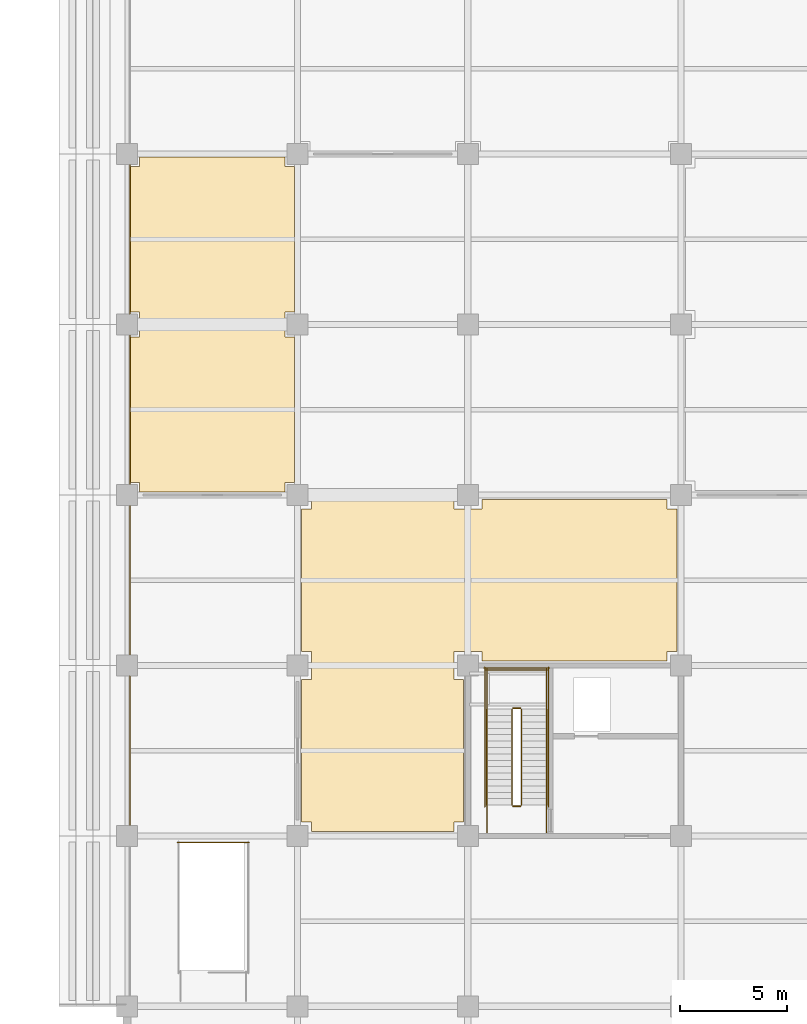
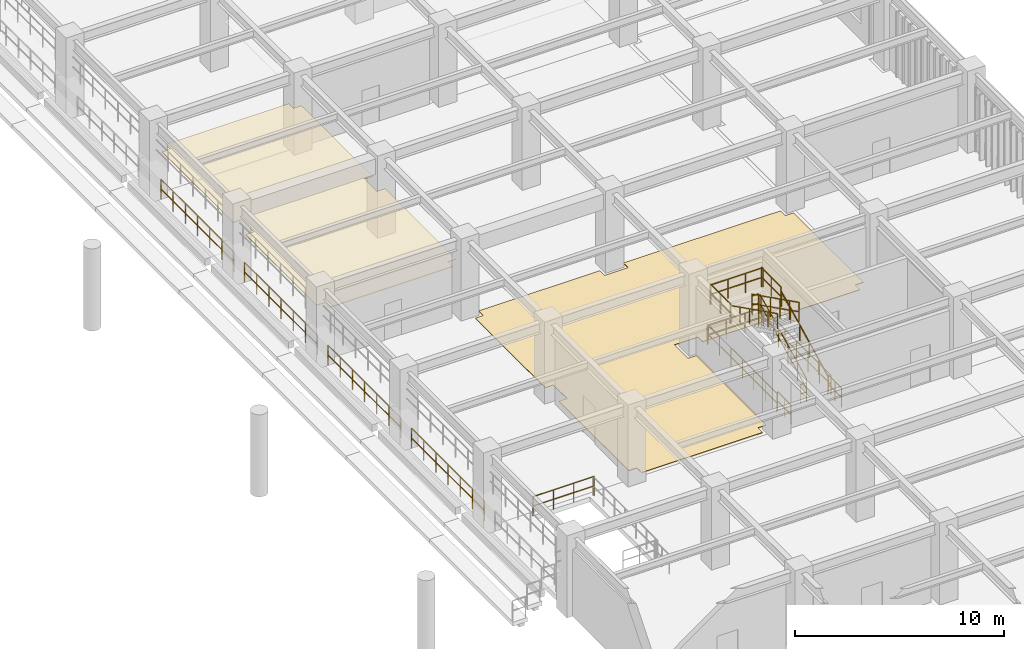
# One storey, part 111 of 117: 19 railings, 2 coverings.
"""IFC4 building model written with IfcOpenShell, lengths in metres."""

from ifc_helpers import new_model, si_unit, direction, frame, origin, origin_2d, place, context, subcontext, project, spatial, polyline, circle, outline, extrude, material, layer, layer_set, type_object, element, save


model = new_model("IFC4")

# Units and contexts
model_context = context("Model", 3, precision=1e-05, world=origin(), true_north=direction((0.0, 1.0)))
body_context = subcontext(model_context, "Body", "Model", "MODEL_VIEW")
ifc_project = project(units=[si_unit("LENGTHUNIT", "METRE"), si_unit("AREAUNIT", "SQUARE_METRE"), si_unit("VOLUMEUNIT", "CUBIC_METRE"), si_unit("PLANEANGLEUNIT", "RADIAN"), si_unit("MASSUNIT", "GRAM", prefix="KILO")], contexts=[model_context])

# Site, building, storey
site_placement = place(None, origin())
site = spatial("IfcSite", under=ifc_project, at=site_placement, CompositionType="ELEMENT")
building_placement = place(site_placement, origin())
building = spatial("IfcBuilding", under=site, at=building_placement, Name="Haebicheon Civic Stadium", CompositionType="ELEMENT")
storey_placement = place(building_placement, frame((0.0, 0.0, 4.800048828125)))
storey = spatial("IfcBuildingStorey", under=building, at=storey_placement, Name="L02", CompositionType="ELEMENT", Elevation=4.800048828125)

# Coverings
ifc_material_1 = material(Name="Perforated mineral-fibre acoustic board", Category="gypsum")
ifc_layer_1 = layer(ifc_material_1, 0.0400390625, Name="Perforated mineral-fibre acoustic board")
ifc_layer_set_1 = layer_set([ifc_layer_1], Name="Perforated mineral-fibre acoustic board")
covering_type_1 = type_object("IfcCoveringType", Name="COV-CLG-AC", PredefinedType="CEILING", material=ifc_layer_set_1)
covering_1_placement = place(storey_placement, frame((0.0, 0.0, 2.81005859375)))
element("IfcCovering", 1, at=covering_1_placement, inside=storey, type_object=covering_type_1, material=ifc_layer_set_1, Name="L02 Sports Rehabilitation Gym acoustic ceiling", PredefinedType="CEILING", context=body_context, shape_type="SweptSolid", body=[
    extrude(outline(polyline([(200.594970703125, 80.14501953125), (200.594970703125, 80.594970703125), (200.14501953125, 80.594970703125), (200.14501953125, 87.405029296875), (200.594970703125, 87.405029296875), (200.594970703125, 88.594970703125), (200.14501953125, 88.594970703125), (200.14501953125, 95.405029296875), (200.594970703125, 95.405029296875), (200.594970703125, 95.85498046875), (207.405029296875, 95.85498046875), (207.405029296875, 95.405029296875), (207.85498046875, 95.405029296875), (207.85498046875, 88.594970703125), (207.405029296875, 88.594970703125), (207.405029296875, 87.405029296875), (207.85498046875, 87.405029296875), (207.85498046875, 80.594970703125), (207.405029296875, 80.594970703125), (207.405029296875, 80.14501953125), (200.594970703125, 80.14501953125)])), origin(), (0.0, 0.0, 1.0), 0.039794921875),
])
ifc_material_2 = material(Name="Quartz epoxy resin mortar", Category="concrete")
ifc_layer_2 = layer(ifc_material_2, 0.030029296875, Name="Quartz epoxy resin mortar")
ifc_layer_set_2 = layer_set([ifc_layer_2], Name="Quartz epoxy resin mortar")
covering_type_2 = type_object("IfcCoveringType", Name="COV-FLR-EPX", PredefinedType="FLOORING", material=ifc_layer_set_2)
covering_2_placement = place(storey_placement, origin())
element("IfcCovering", 2, at=covering_2_placement, inside=storey, type_object=covering_type_2, material=ifc_layer_set_2, Name="L02 Aerobic Conditioning Studio non-slip floor finish", PredefinedType="FLOORING", context=body_context, shape_type="SweptSolid", body=[
    extrude(outline(polyline([(208.64990234375, 64.199951171875), (208.64990234375, 64.64990234375), (208.199951171875, 64.64990234375), (208.199951171875, 71.35009765625), (208.64990234375, 71.35009765625), (208.64990234375, 72.64990234375), (208.199951171875, 72.64990234375), (208.199951171875, 79.35009765625), (208.64990234375, 79.35009765625), (208.64990234375, 79.800048828125), (215.35009765625, 79.800048828125), (215.35009765625, 79.35009765625), (216.64990234375, 79.35009765625), (216.64990234375, 79.800048828125), (225.35009765625, 79.800048828125), (225.35009765625, 79.35009765625), (225.800048828125, 79.35009765625), (225.800048828125, 72.64990234375), (225.35009765625, 72.64990234375), (225.35009765625, 72.199951171875), (216.64990234375, 72.199951171875), (216.64990234375, 72.64990234375), (215.35009765625, 72.64990234375), (215.35009765625, 71.35009765625), (215.800048828125, 71.35009765625), (215.800048828125, 64.64990234375), (215.35009765625, 64.64990234375), (215.35009765625, 64.199951171875), (208.64990234375, 64.199951171875)])), origin(), (0.0, 0.0, 1.0), 0.030029296875),
])

# Railings
ifc_material_3 = material(Name="Stainless steel 316 and laminated glass", Category="steel")
railing_type_1 = type_object("IfcRailingType", Name="RL-BAL-1200", PredefinedType="BALUSTRADE", material=ifc_material_3)
for number, where, name in (
    (3, (200.139892578125, 64.5, 0.0), "L02 concourse bowl-edge balustrade 034"),
    (4, (200.139892578125, 72.5, 0.0), "L02 concourse bowl-edge balustrade 035"),
    (5, (200.139892578125, 80.5, 0.0), "L02 concourse bowl-edge balustrade 036"),
    (6, (200.139892578125, 88.5, 0.0), "L02 concourse bowl-edge balustrade 037"),
):
    element("IfcRailing", number, at=place(storey_placement, frame(where)), inside=storey, type_object=railing_type_1, material=ifc_material_3, Name=name, PredefinedType="BALUSTRADE", context=body_context, shape_type="SweptSolid", body=[
        extrude(circle(Radius=0.02392578125, at=origin_2d()), frame((0.0, 0.0, 1.17578125), z_axis=(0.0, 1.0, 0.0), x_axis=(-1.0, 0.0, 0.0)), (0.0, 0.0, 1.0), 7.0),
        extrude(circle(Radius=0.02392578125, at=origin_2d()), frame((0.0, 0.0, 0.60009765625), z_axis=(0.0, 1.0, 0.0), x_axis=(-1.0, 0.0, 0.0)), (0.0, 0.0, 1.0), 7.0),
        extrude(circle(Radius=0.02099609375, at=origin_2d()), origin(), (0.0, 0.0, 1.0), 1.15185546875),
        extrude(circle(Radius=0.02099609375, at=origin_2d()), frame((0.0, 1.166748046875, 0.0)), (0.0, 0.0, 1.0), 1.15185546875),
        extrude(circle(Radius=0.02099609375, at=origin_2d()), frame((0.0, 2.333251953125, 0.0)), (0.0, 0.0, 1.0), 1.15185546875),
        extrude(circle(Radius=0.02099609375, at=origin_2d()), frame((0.0, 3.5, 0.0)), (0.0, 0.0, 1.0), 1.15185546875),
        extrude(circle(Radius=0.02099609375, at=origin_2d()), frame((0.0, 4.666748046875, 0.0)), (0.0, 0.0, 1.0), 1.15185546875),
        extrude(circle(Radius=0.02099609375, at=origin_2d()), frame((0.0, 5.833251953125, 0.0)), (0.0, 0.0, 1.0), 1.15185546875),
        extrude(circle(Radius=0.02099609375, at=origin_2d()), frame((0.0, 7.0, 0.0)), (0.0, 0.0, 1.0), 1.15185546875),
    ])
ifc_material_4 = material(Name="Galvanised painted steel SM355", Category="steel")
railing_type_2 = type_object("IfcRailingType", Name="RL-GRD-1150", PredefinedType="GUARDRAIL", material=ifc_material_4)
railing_1_placement = place(storey_placement, frame((218.510009765625, 65.449951171875, 0.14990234375)))
element("IfcRailing", 7, at=railing_1_placement, inside=storey, type_object=railing_type_2, material=ifc_material_4, Name="L02 ST-12 stair guard 1", PredefinedType="GUARDRAIL", context=body_context, shape_type="SweptSolid", body=[
    extrude(circle(Radius=0.02392578125, at=origin_2d()), frame((0.0, 0.0, 1.1259765625), z_axis=(0.0, 0.894427191, 0.4472135955), x_axis=(-1.0, 0.0, 0.0)), (0.0, 0.0, 1.0), 5.03125),
    extrude(circle(Radius=0.02392578125, at=origin_2d()), frame((0.0, 0.0, 0.574951171875), z_axis=(0.0, 0.894427191, 0.4472135955), x_axis=(-1.0, 0.0, 0.0)), (0.0, 0.0, 1.0), 5.03125),
    extrude(circle(Radius=0.02099609375, at=origin_2d()), origin(), (0.0, 0.0, 1.0), 1.101806640625),
    extrude(circle(Radius=0.02099609375, at=origin_2d()), frame((0.0, 0.89990234375, 0.449951171875)), (0.0, 0.0, 1.0), 1.101806640625),
    extrude(circle(Radius=0.02099609375, at=origin_2d()), frame((0.0, 1.800048828125, 0.89990234375)), (0.0, 0.0, 1.0), 1.101806640625),
    extrude(circle(Radius=0.02099609375, at=origin_2d()), frame((0.0, 2.699951171875, 1.35009765625)), (0.0, 0.0, 1.0), 1.101806640625),
    extrude(circle(Radius=0.02099609375, at=origin_2d()), frame((0.0, 3.60009765625, 1.800048828125)), (0.0, 0.0, 1.0), 1.101806640625),
    extrude(circle(Radius=0.02099609375, at=origin_2d()), frame((0.0, 4.5, 2.25)), (0.0, 0.0, 1.0), 1.101806640625),
])
railing_2_placement = place(storey_placement, frame((218.4599609375, 70.0, 2.39990234375)))
element("IfcRailing", 8, at=railing_2_placement, inside=storey, type_object=railing_type_2, material=ifc_material_4, Name="L02 ST-12 stair guard 2", PredefinedType="GUARDRAIL", context=body_context, shape_type="SweptSolid", body=[
    extrude(circle(Radius=0.02392578125, at=origin_2d()), frame((0.0, 0.0, 1.1259765625), z_axis=(-1.0, 0.0, 0.0), x_axis=(0.0, -1.0, 0.0)), (0.0, 0.0, 1.0), 0.33984375),
    extrude(circle(Radius=0.02392578125, at=origin_2d()), frame((0.0, 0.0, 0.574951171875), z_axis=(-1.0, 0.0, 0.0), x_axis=(0.0, -1.0, 0.0)), (0.0, 0.0, 1.0), 0.33984375),
    extrude(circle(Radius=0.02099609375, at=origin_2d()), origin(), (0.0, 0.0, 1.0), 1.101806640625),
    extrude(circle(Radius=0.02099609375, at=origin_2d()), frame((-0.33984375, 0.0, 0.0)), (0.0, 0.0, 1.0), 1.101806640625),
])
for number, where, name in (
    (9, (219.68994140625, 69.949951171875, 2.39990234375), "L02 ST-12 stair guard 3"),
    (10, (216.889892578125, 69.949951171875, 2.39990234375), "L02 ST-12 stair guard 4"),
):
    element("IfcRailing", number, at=place(storey_placement, frame(where)), inside=storey, type_object=railing_type_2, material=ifc_material_4, Name=name, PredefinedType="GUARDRAIL", context=body_context, shape_type="SweptSolid", body=[
        extrude(circle(Radius=0.02392578125, at=origin_2d()), frame((0.0, 0.0, 1.1259765625), z_axis=(0.0, 1.0, 0.0), x_axis=(-1.0, 0.0, 0.0)), (0.0, 0.0, 1.0), 1.89013671875),
        extrude(circle(Radius=0.02392578125, at=origin_2d()), frame((0.0, 0.0, 0.574951171875), z_axis=(0.0, 1.0, 0.0), x_axis=(-1.0, 0.0, 0.0)), (0.0, 0.0, 1.0), 1.89013671875),
        extrude(circle(Radius=0.02099609375, at=origin_2d()), origin(), (0.0, 0.0, 1.0), 1.101806640625),
        extrude(circle(Radius=0.02099609375, at=origin_2d()), frame((0.0, 0.945068359375, 0.0)), (0.0, 0.0, 1.0), 1.101806640625),
        extrude(circle(Radius=0.02099609375, at=origin_2d()), frame((0.0, 1.89013671875, 0.0)), (0.0, 0.0, 1.0), 1.101806640625),
    ])
railing_3_placement = place(storey_placement, frame((219.739990234375, 71.7900390625, 2.39990234375)))
element("IfcRailing", 11, at=railing_3_placement, inside=storey, type_object=railing_type_2, material=ifc_material_4, Name="L02 ST-12 stair guard 5", PredefinedType="GUARDRAIL", context=body_context, shape_type="SweptSolid", body=[
    extrude(circle(Radius=0.02392578125, at=origin_2d()), frame((0.0, 0.0, 1.1259765625), z_axis=(-1.0, 0.0, 0.0), x_axis=(0.0, -1.0, 0.0)), (0.0, 0.0, 1.0), 2.89990234375),
    extrude(circle(Radius=0.02392578125, at=origin_2d()), frame((0.0, 0.0, 0.574951171875), z_axis=(-1.0, 0.0, 0.0), x_axis=(0.0, -1.0, 0.0)), (0.0, 0.0, 1.0), 2.89990234375),
    extrude(circle(Radius=0.02099609375, at=origin_2d()), origin(), (0.0, 0.0, 1.0), 1.101806640625),
    extrude(circle(Radius=0.02099609375, at=origin_2d()), frame((-0.966552734375, 0.0, 0.0)), (0.0, 0.0, 1.0), 1.101806640625),
    extrude(circle(Radius=0.02099609375, at=origin_2d()), frame((-1.933349609375, 0.0, 0.0)), (0.0, 0.0, 1.0), 1.101806640625),
    extrude(circle(Radius=0.02099609375, at=origin_2d()), frame((-2.89990234375, 0.0, 0.0)), (0.0, 0.0, 1.0), 1.101806640625),
])
railing_4_placement = place(storey_placement, frame((218.070068359375, 69.949951171875, 2.550048828125)))
element("IfcRailing", 12, at=railing_4_placement, inside=storey, type_object=railing_type_2, material=ifc_material_4, Name="L02 ST-12 stair guard 6", PredefinedType="GUARDRAIL", context=body_context, shape_type="SweptSolid", body=[
    extrude(circle(Radius=0.02392578125, at=origin_2d()), frame((0.0, 0.0, 1.1259765625), z_axis=(0.0, -0.894427191, 0.4472135955), x_axis=(1.0, 0.0, 0.0)), (0.0, 0.0, 1.0), 5.03125),
    extrude(circle(Radius=0.02392578125, at=origin_2d()), frame((0.0, 0.0, 0.574951171875), z_axis=(0.0, -0.894427191, 0.4472135955), x_axis=(1.0, 0.0, 0.0)), (0.0, 0.0, 1.0), 5.03125),
    extrude(circle(Radius=0.02099609375, at=origin_2d()), origin(), (0.0, 0.0, 1.0), 1.101806640625),
    extrude(circle(Radius=0.02099609375, at=origin_2d()), frame((0.0, -0.89990234375, 0.449951171875)), (0.0, 0.0, 1.0), 1.101806640625),
    extrude(circle(Radius=0.02099609375, at=origin_2d()), frame((0.0, -1.800048828125, 0.89990234375)), (0.0, 0.0, 1.0), 1.101806640625),
    extrude(circle(Radius=0.02099609375, at=origin_2d()), frame((0.0, -2.699951171875, 1.35009765625)), (0.0, 0.0, 1.0), 1.101806640625),
    extrude(circle(Radius=0.02099609375, at=origin_2d()), frame((0.0, -3.60009765625, 1.800048828125)), (0.0, 0.0, 1.0), 1.101806640625),
    extrude(circle(Radius=0.02099609375, at=origin_2d()), frame((0.0, -4.5, 2.25)), (0.0, 0.0, 1.0), 1.101806640625),
])
railing_5_placement = place(storey_placement, frame((218.4599609375, 65.39990234375, 0.0)))
element("IfcRailing", 13, at=railing_5_placement, inside=storey, type_object=railing_type_2, material=ifc_material_4, Name="L02 ST-12 stair guard 7", PredefinedType="GUARDRAIL", context=body_context, shape_type="SweptSolid", body=[
    extrude(circle(Radius=0.02392578125, at=origin_2d()), frame((0.0, 0.0, 1.1259765625), z_axis=(-1.0, 0.0, 0.0), x_axis=(0.0, -1.0, 0.0)), (0.0, 0.0, 1.0), 0.33984375),
    extrude(circle(Radius=0.02392578125, at=origin_2d()), frame((0.0, 0.0, 0.574951171875), z_axis=(-1.0, 0.0, 0.0), x_axis=(0.0, -1.0, 0.0)), (0.0, 0.0, 1.0), 0.33984375),
    extrude(circle(Radius=0.02099609375, at=origin_2d()), origin(), (0.0, 0.0, 1.0), 1.101806640625),
    extrude(circle(Radius=0.02099609375, at=origin_2d()), frame((-0.33984375, 0.0, 0.0)), (0.0, 0.0, 1.0), 1.101806640625),
])
for number, where, name in (
    (14, (219.68994140625, 64.159912109375, 0.0), "L02 ST-12 stair guard 8"),
    (15, (216.889892578125, 64.159912109375, 0.0), "L02 ST-12 stair guard 9"),
):
    element("IfcRailing", number, at=place(storey_placement, frame(where)), inside=storey, type_object=railing_type_2, material=ifc_material_4, Name=name, PredefinedType="GUARDRAIL", context=body_context, shape_type="SweptSolid", body=[
        extrude(circle(Radius=0.02392578125, at=origin_2d()), frame((0.0, 0.0, 1.1259765625), z_axis=(0.0, 1.0, 0.0), x_axis=(-1.0, 0.0, 0.0)), (0.0, 0.0, 1.0), 1.2900390625),
        extrude(circle(Radius=0.02392578125, at=origin_2d()), frame((0.0, 0.0, 0.574951171875), z_axis=(0.0, 1.0, 0.0), x_axis=(-1.0, 0.0, 0.0)), (0.0, 0.0, 1.0), 1.2900390625),
        extrude(circle(Radius=0.02099609375, at=origin_2d()), origin(), (0.0, 0.0, 1.0), 1.101806640625),
        extrude(circle(Radius=0.02099609375, at=origin_2d()), frame((0.0, 0.64501953125, 0.0)), (0.0, 0.0, 1.0), 1.101806640625),
        extrude(circle(Radius=0.02099609375, at=origin_2d()), frame((0.0, 1.2900390625, 0.0)), (0.0, 0.0, 1.0), 1.101806640625),
    ])
for number, where, name in (
    (16, (219.7900390625, 65.35009765625, 0.0), "L02 ST-12 stair guard 10"),
    (17, (216.7900390625, 65.35009765625, 0.0), "L02 ST-12 stair guard 11"),
):
    element("IfcRailing", number, at=place(storey_placement, frame(where)), inside=storey, type_object=railing_type_2, material=ifc_material_4, Name=name, PredefinedType="GUARDRAIL", context=body_context, shape_type="SweptSolid", body=[
        extrude(circle(Radius=0.02392578125, at=origin_2d()), frame((0.0, 0.0, 1.1259765625), z_axis=(0.0, 1.0, 0.0), x_axis=(-1.0, 0.0, 0.0)), (0.0, 0.0, 1.0), 6.58984375),
        extrude(circle(Radius=0.02392578125, at=origin_2d()), frame((0.0, 0.0, 0.574951171875), z_axis=(0.0, 1.0, 0.0), x_axis=(-1.0, 0.0, 0.0)), (0.0, 0.0, 1.0), 6.58984375),
        extrude(circle(Radius=0.02099609375, at=origin_2d()), origin(), (0.0, 0.0, 1.0), 1.101806640625),
        extrude(circle(Radius=0.02099609375, at=origin_2d()), frame((0.0, 1.098388671875, 0.0)), (0.0, 0.0, 1.0), 1.101806640625),
        extrude(circle(Radius=0.02099609375, at=origin_2d()), frame((0.0, 2.196533203125, 0.0)), (0.0, 0.0, 1.0), 1.101806640625),
        extrude(circle(Radius=0.02099609375, at=origin_2d()), frame((0.0, 3.294921875, 0.0)), (0.0, 0.0, 1.0), 1.101806640625),
        extrude(circle(Radius=0.02099609375, at=origin_2d()), frame((0.0, 4.393310546875, 0.0)), (0.0, 0.0, 1.0), 1.101806640625),
        extrude(circle(Radius=0.02099609375, at=origin_2d()), frame((0.0, 5.491455078125, 0.0)), (0.0, 0.0, 1.0), 1.101806640625),
        extrude(circle(Radius=0.02099609375, at=origin_2d()), frame((0.0, 6.58984375, 0.0)), (0.0, 0.0, 1.0), 1.101806640625),
    ])
railing_6_placement = place(storey_placement, frame((219.840087890625, 71.889892578125, 0.0)))
element("IfcRailing", 18, at=railing_6_placement, inside=storey, type_object=railing_type_2, material=ifc_material_4, Name="L02 ST-12 stair guard 12", PredefinedType="GUARDRAIL", context=body_context, shape_type="SweptSolid", body=[
    extrude(circle(Radius=0.02392578125, at=origin_2d()), frame((0.0, 0.0, 1.1259765625), z_axis=(-1.0, 0.0, 0.0), x_axis=(0.0, -1.0, 0.0)), (0.0, 0.0, 1.0), 3.10009765625),
    extrude(circle(Radius=0.02392578125, at=origin_2d()), frame((0.0, 0.0, 0.574951171875), z_axis=(-1.0, 0.0, 0.0), x_axis=(0.0, -1.0, 0.0)), (0.0, 0.0, 1.0), 3.10009765625),
    extrude(circle(Radius=0.02099609375, at=origin_2d()), origin(), (0.0, 0.0, 1.0), 1.101806640625),
    extrude(circle(Radius=0.02099609375, at=origin_2d()), frame((-1.033447265625, 0.0, 0.0)), (0.0, 0.0, 1.0), 1.101806640625),
    extrude(circle(Radius=0.02099609375, at=origin_2d()), frame((-2.066650390625, 0.0, 0.0)), (0.0, 0.0, 1.0), 1.101806640625),
    extrude(circle(Radius=0.02099609375, at=origin_2d()), frame((-3.10009765625, 0.0, 0.0)), (0.0, 0.0, 1.0), 1.101806640625),
])
railing_7_placement = place(storey_placement, frame((205.739990234375, 63.699951171875, 0.0)))
element("IfcRailing", 19, at=railing_7_placement, inside=storey, type_object=railing_type_2, material=ifc_material_4, Name="L02 VM-11 top well guard 4", PredefinedType="GUARDRAIL", context=body_context, shape_type="SweptSolid", body=[
    extrude(circle(Radius=0.02392578125, at=origin_2d()), frame((0.0, 0.0, 1.1259765625), z_axis=(-1.0, 0.0, 0.0), x_axis=(0.0, -1.0, 0.0)), (0.0, 0.0, 1.0), 3.3798828125),
    extrude(circle(Radius=0.02392578125, at=origin_2d()), frame((0.0, 0.0, 0.574951171875), z_axis=(-1.0, 0.0, 0.0), x_axis=(0.0, -1.0, 0.0)), (0.0, 0.0, 1.0), 3.3798828125),
    extrude(circle(Radius=0.02099609375, at=origin_2d()), origin(), (0.0, 0.0, 1.0), 1.101806640625),
    extrude(circle(Radius=0.02099609375, at=origin_2d()), frame((-1.126708984375, 0.0, 0.0)), (0.0, 0.0, 1.0), 1.101806640625),
    extrude(circle(Radius=0.02099609375, at=origin_2d()), frame((-2.253173828125, 0.0, 0.0)), (0.0, 0.0, 1.0), 1.101806640625),
    extrude(circle(Radius=0.02099609375, at=origin_2d()), frame((-3.3798828125, 0.0, 0.0)), (0.0, 0.0, 1.0), 1.101806640625),
])
ifc_material_5 = material(Name="Stainless steel 316", Category="steel")
railing_type_3 = type_object("IfcRailingType", Name="RL-HND-900", PredefinedType="HANDRAIL", material=ifc_material_5)
railing_8_placement = place(storey_placement, frame((219.68994140625, 65.449951171875, 0.14990234375)))
element("IfcRailing", 20, at=railing_8_placement, inside=storey, type_object=railing_type_3, material=ifc_material_5, Name="L02 ST-12 stair handrail 1", PredefinedType="HANDRAIL", context=body_context, shape_type="SweptSolid", body=[
    extrude(circle(Radius=0.02392578125, at=origin_2d()), frame((0.0, 0.0, 0.8759765625), z_axis=(0.0, 0.894427191, 0.4472135955), x_axis=(-1.0, 0.0, 0.0)), (0.0, 0.0, 1.0), 5.03125),
    extrude(circle(Radius=0.02099609375, at=origin_2d()), origin(), (0.0, 0.0, 1.0), 0.851806640625),
    extrude(circle(Radius=0.02099609375, at=origin_2d()), frame((0.0, 0.89990234375, 0.449951171875)), (0.0, 0.0, 1.0), 0.851806640625),
    extrude(circle(Radius=0.02099609375, at=origin_2d()), frame((0.0, 1.800048828125, 0.89990234375)), (0.0, 0.0, 1.0), 0.851806640625),
    extrude(circle(Radius=0.02099609375, at=origin_2d()), frame((0.0, 2.699951171875, 1.35009765625)), (0.0, 0.0, 1.0), 0.851806640625),
    extrude(circle(Radius=0.02099609375, at=origin_2d()), frame((0.0, 3.60009765625, 1.800048828125)), (0.0, 0.0, 1.0), 0.851806640625),
    extrude(circle(Radius=0.02099609375, at=origin_2d()), frame((0.0, 4.5, 2.25)), (0.0, 0.0, 1.0), 0.851806640625),
])
railing_9_placement = place(storey_placement, frame((216.889892578125, 69.949951171875, 2.550048828125)))
element("IfcRailing", 21, at=railing_9_placement, inside=storey, type_object=railing_type_3, material=ifc_material_5, Name="L02 ST-12 stair handrail 2", PredefinedType="HANDRAIL", context=body_context, shape_type="SweptSolid", body=[
    extrude(circle(Radius=0.02392578125, at=origin_2d()), frame((0.0, 0.0, 0.8759765625), z_axis=(0.0, -0.894427191, 0.4472135955), x_axis=(1.0, 0.0, 0.0)), (0.0, 0.0, 1.0), 5.03125),
    extrude(circle(Radius=0.02099609375, at=origin_2d()), origin(), (0.0, 0.0, 1.0), 0.851806640625),
    extrude(circle(Radius=0.02099609375, at=origin_2d()), frame((0.0, -0.89990234375, 0.449951171875)), (0.0, 0.0, 1.0), 0.851806640625),
    extrude(circle(Radius=0.02099609375, at=origin_2d()), frame((0.0, -1.800048828125, 0.89990234375)), (0.0, 0.0, 1.0), 0.851806640625),
    extrude(circle(Radius=0.02099609375, at=origin_2d()), frame((0.0, -2.699951171875, 1.35009765625)), (0.0, 0.0, 1.0), 0.851806640625),
    extrude(circle(Radius=0.02099609375, at=origin_2d()), frame((0.0, -3.60009765625, 1.800048828125)), (0.0, 0.0, 1.0), 0.851806640625),
    extrude(circle(Radius=0.02099609375, at=origin_2d()), frame((0.0, -4.5, 2.25)), (0.0, 0.0, 1.0), 0.851806640625),
])

save(model, "model.ifc")
